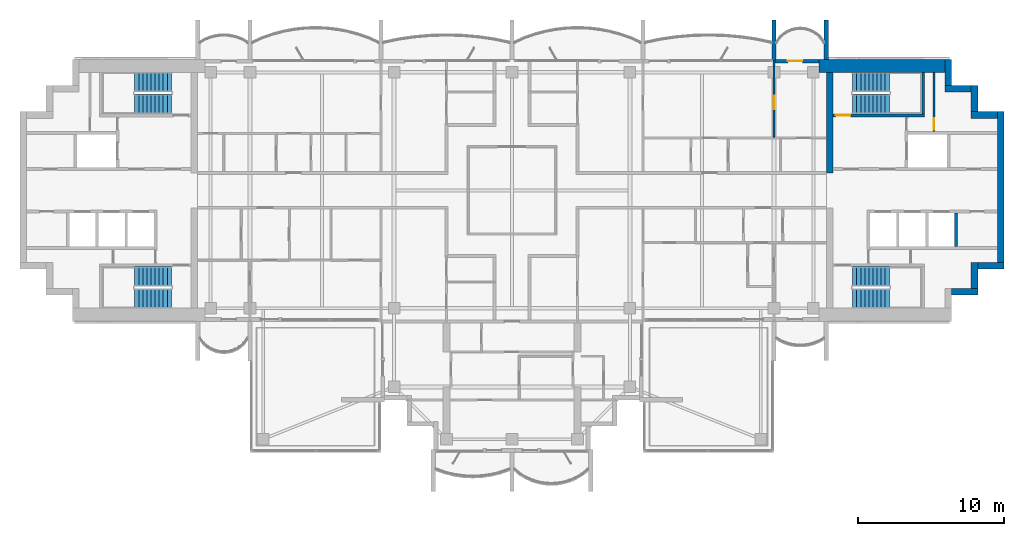
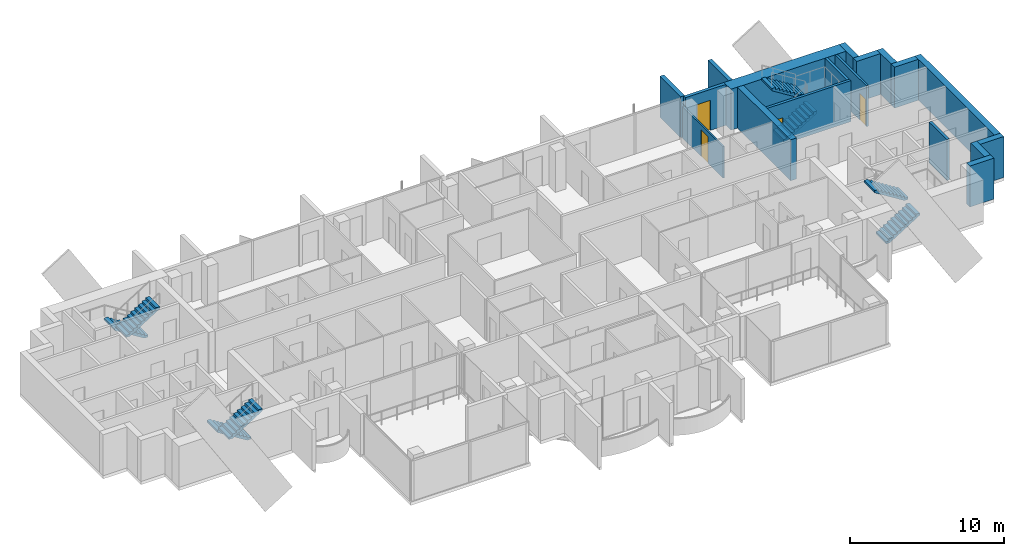
# One storey, part 12 of 16: 18 walls, 8 stair flights, 4 doors, 4 openings, 4 elements without a shape of their own.
"""IFC4 building model written with IfcOpenShell, lengths in metres."""

from ifc_helpers import new_model, si_unit, direction, frame, frame_2d, origin, place, context, subcontext, project, spatial, polyline, rectangle, outline, extrude, material, layer, layer_set, type_object, element, fill, aggregate, save


model = new_model("IFC4")

# Units and contexts
model_context = context("Model", 3, precision=1e-05, world=origin(), true_north=direction((0.0, 1.0)))
body_context = subcontext(model_context, "Body", "Model", "MODEL_VIEW")
ifc_project = project(units=[si_unit("LENGTHUNIT", "METRE"), si_unit("AREAUNIT", "SQUARE_METRE"), si_unit("VOLUMEUNIT", "CUBIC_METRE"), si_unit("PLANEANGLEUNIT", "RADIAN"), si_unit("MASSUNIT", "GRAM", prefix="KILO")], contexts=[model_context])

# Site, building, storey
site_placement = place(None, origin())
site = spatial("IfcSite", under=ifc_project, at=site_placement, CompositionType="ELEMENT")
building_placement = place(site_placement, origin())
building = spatial("IfcBuilding", under=site, at=building_placement, Name="Perihelion Cross Residences", CompositionType="ELEMENT")
storey_placement = place(building_placement, frame((0.0, 0.0, 260.5)))
storey = spatial("IfcBuildingStorey", under=building, at=storey_placement, Name="L66", CompositionType="ELEMENT", Elevation=260.5)

# Wall, opening, door
ifc_material_1 = material(Name="Concrete C30/37, bronze-clad", Category="concrete")
ifc_layer_1 = layer(ifc_material_1, 0.25)
ifc_layer_set_1 = layer_set([ifc_layer_1], Name="Bronze-clad pier wall 250")
wall_type_1 = type_object("IfcWallType", Name="Bronze-clad pier wall 250", PredefinedType="SOLIDWALL", material=ifc_layer_set_1)
wall_1_placement = place(storey_placement, frame((21.10009765625, 8.875, 0.0), z_axis=(0.0, 0.0, 1.0), x_axis=(-1.0, 0.0, 0.0)))
wall_1 = element("IfcWall", 1, at=wall_1_placement, inside=storey, type_object=wall_type_1, Name="Wall FW1 L66 east side north bay 1 pier", PredefinedType="SOLIDWALL", context=body_context, shape_type="SweptSolid", body=[
    extrude(rectangle(XDim=3.0400390625, YDim=0.25, at=frame_2d((1.52001953125, 0.0))), origin(), (0.0, 0.0, 1.0), 3.25),
])
opening_1_placement = place(wall_1_placement, frame((1.14990234375, 0.0, 0.0)))
opening_1 = element("IfcOpeningElement", 2, at=opening_1_placement, cuts=wall_1, Name="Opening L66.E01", PredefinedType="OPENING", context=body_context, shape_type="SweptSolid", body=[
    extrude(rectangle(XDim=1.0, YDim=2.39990234375, at=frame_2d((0.5, 1.199951171875))), frame((0.0, 0.135009765625, 0.0), z_axis=(0.0, -1.0, 0.0), x_axis=(1.0, 0.0, 0.0)), (0.0, 0.0, 1.0), 0.27001953125),
])
ifc_material_2 = material(Name="Bronze anodised aluminium, glazed", Category="aluminium")
door_type_1 = type_object("IfcDoorType", Name="Balcony door 1000 x 2400", OperationType="NOTDEFINED", PredefinedType="DOOR", material=ifc_material_2)
door_1_placement = place(opening_1_placement, origin())
door_1 = element("IfcDoor", 3, at=door_1_placement, inside=storey, type_object=door_type_1, Name="Door L66.E01 east side north bay 1", OperationType="SINGLE_SWING_LEFT", OverallHeight=2.39990234375, OverallWidth=1.0, PredefinedType="DOOR", context=body_context, shape_type="SweptSolid", body=[
    extrude(rectangle(XDim=1.0, YDim=2.39990234375, at=frame_2d((0.5, 1.199951171875))), frame((0.0, 0.02490234375, 0.0), z_axis=(0.0, -1.0, 0.0), x_axis=(1.0, 0.0, 0.0)), (0.0, 0.0, 1.0), 0.050048828125),
])
fill(opening_1, door_1)

# Walls
ifc_material_3 = material(Name="Concrete C60/75", Category="concrete")
ifc_layer_2 = layer(ifc_material_3, 0.449951171875)
ifc_layer_set_2 = layer_set([ifc_layer_2], Name="Core wall, inner 450")
wall_type_2 = type_object("IfcWallType", Name="Core wall, inner 450", PredefinedType="SHEAR", material=ifc_layer_set_2)
wall_2_placement = place(storey_placement, frame((21.824951171875, 1.199951171875, 0.0), z_axis=(0.0, 0.0, 1.0), x_axis=(0.0, 1.0, 0.0)))
element("IfcWall", 4, at=wall_2_placement, inside=storey, type_object=wall_type_2, Name="East core core wall, inner", PredefinedType="SHEAR", context=body_context, shape_type="SweptSolid", body=[
    extrude(rectangle(XDim=6.900146484375, YDim=0.449951171875, at=frame_2d((3.4501953125, 0.0))), origin(), (0.0, 0.0, 1.0), 3.25),
])
ifc_material_4 = material(Name="Concrete C60/75", Category="concrete")
ifc_layer_3 = layer(ifc_material_4, 0.449951171875)
ifc_layer_set_3 = layer_set([ifc_layer_3], Name="Core wall, outer 450")
wall_type_3 = type_object("IfcWallType", Name="Core wall, outer 450", PredefinedType="SHEAR", material=ifc_layer_set_3)
for number, where, z_axis, x_axis, name in (
    (5, (30.199951171875, -6.97509765625, 0.0), (0.0, 0.0, 1.0), (1.0, 0.0, 0.0), "East core core wall, outer"),
    (6, (31.77490234375, -6.75, 0.0), (0.0, 0.0, 1.0), (0.0, 1.0, 0.0), "East core core wall, outer"),
    (7, (32.0, -5.175048828125, 0.0), (0.0, 0.0, 1.0), (1.0, 0.0, 0.0), "East core core wall, outer"),
):
    element("IfcWall", number, at=place(storey_placement, frame(where, z_axis=z_axis, x_axis=x_axis)), inside=storey, type_object=wall_type_3, Name=name, PredefinedType="SHEAR", context=body_context, shape_type="SweptSolid", body=[
        extrude(rectangle(XDim=1.800048828125, YDim=0.449951171875, at=frame_2d((0.89990234375, 0.0))), origin(), (0.0, 0.0, 1.0), 3.25),
    ])
wall_3_placement = place(storey_placement, frame((33.574951171875, -4.949951171875, 0.0), z_axis=(0.0, 0.0, 1.0), x_axis=(0.0, 1.0, 0.0)))
element("IfcWall", 8, at=wall_3_placement, inside=storey, type_object=wall_type_3, Name="East core core wall, outer", PredefinedType="SHEAR", context=body_context, shape_type="SweptSolid", body=[
    extrude(rectangle(XDim=10.349853515625, YDim=0.449951171875, at=frame_2d((5.1748046875, 0.0))), origin(), (0.0, 0.0, 1.0), 3.25),
])
for number, where, z_axis, x_axis, name in (
    (9, (31.550048828125, 5.175048828125, 0.0), (0.0, 0.0, 1.0), (1.0, 0.0, 0.0), "East core core wall, outer"),
    (10, (31.77490234375, 5.39990234375, 0.0), (0.0, 0.0, 1.0), (0.0, 1.0, 0.0), "East core core wall, outer"),
    (11, (29.75, 6.97509765625, 0.0), (0.0, 0.0, 1.0), (1.0, 0.0, 0.0), "East core core wall, outer"),
    (12, (29.97509765625, 7.199951171875, 0.0), (0.0, 0.0, 1.0), (0.0, 1.0, 0.0), "East core core wall, outer"),
):
    element("IfcWall", number, at=place(storey_placement, frame(where, z_axis=z_axis, x_axis=x_axis)), inside=storey, type_object=wall_type_3, Name=name, PredefinedType="SHEAR", context=body_context, shape_type="SweptSolid", body=[
        extrude(rectangle(XDim=1.800048828125, YDim=0.449951171875, at=frame_2d((0.89990234375, 0.0))), origin(), (0.0, 0.0, 1.0), 3.25),
    ])
ifc_material_5 = material(Name="Concrete C60/75", Category="concrete")
ifc_layer_4 = layer(ifc_material_5, 0.89990234375)
ifc_layer_set_4 = layer_set([ifc_layer_4], Name="Core wall, outer 900")
wall_type_4 = type_object("IfcWallType", Name="Core wall, outer 900", PredefinedType="SHEAR", material=ifc_layer_set_4)
wall_4_placement = place(storey_placement, frame((21.10009765625, 8.550048828125, 0.0), z_axis=(0.0, 0.0, 1.0), x_axis=(1.0, 0.0, 0.0)))
element("IfcWall", 13, at=wall_4_placement, inside=storey, type_object=wall_type_4, Name="East core core wall, outer", PredefinedType="SHEAR", context=body_context, shape_type="SweptSolid", body=[
    extrude(rectangle(XDim=8.64990234375, YDim=0.89990234375, at=frame_2d((4.324951171875, 0.0))), origin(), (0.0, 0.0, 1.0), 3.25),
])

# Wall, opening, door
ifc_material_6 = material(Name="Plasterboard partition")
ifc_layer_5 = layer(ifc_material_6, 0.1201171875)
ifc_layer_set_5 = layer_set([ifc_layer_5], Name="Partition wall 120")
wall_type_5 = type_object("IfcWallType", Name="Partition wall 120", PredefinedType="PARTITIONING", material=ifc_layer_set_5)
wall_5_placement = place(storey_placement, frame((18.0, 8.919921875, 0.0), z_axis=(0.0, 0.0, 1.0), x_axis=(0.0, -1.0, 0.0)))
wall_5 = element("IfcWall", 14, at=wall_5_placement, inside=storey, type_object=wall_type_5, Name="Partition L66 W028", PredefinedType="PARTITIONING", context=body_context, shape_type="SweptSolid", body=[
    extrude(rectangle(XDim=5.260009765625, YDim=0.1201171875, at=frame_2d((2.6298828125, 0.0))), origin(), (0.0, 0.0, 1.0), 2.49609375),
])
opening_2_placement = place(wall_5_placement, frame((2.43994140625, 0.0, 0.0)))
opening_2 = element("IfcOpeningElement", 15, at=opening_2_placement, cuts=wall_5, Name="Opening L66.A08", PredefinedType="OPENING", context=body_context, shape_type="SweptSolid", body=[
    extrude(rectangle(XDim=0.89990234375, YDim=2.10009765625, at=frame_2d((0.449951171875, 1.050048828125))), frame((0.0, 0.070068359375, 0.0), z_axis=(0.0, -1.0, 0.0), x_axis=(1.0, 0.0, 0.0)), (0.0, 0.0, 1.0), 0.14013671875),
])
ifc_material_7 = material(Name="Timber door leaf", Category="wood")
door_type_2 = type_object("IfcDoorType", Name="Interior room door 900 x 2100", OperationType="SINGLE_SWING_LEFT", PredefinedType="DOOR", material=ifc_material_7)
door_2_placement = place(opening_2_placement, origin())
door_2 = element("IfcDoor", 16, at=door_2_placement, inside=storey, type_object=door_type_2, Name="Door L66.A08", OperationType="SINGLE_SWING_LEFT", OverallHeight=2.10009765625, OverallWidth=0.89990234375, PredefinedType="DOOR", context=body_context, shape_type="SweptSolid", body=[
    extrude(rectangle(XDim=0.89990234375, YDim=2.10009765625, at=frame_2d((0.449951171875, 1.050048828125))), frame((0.0, 0.02490234375, 0.0), z_axis=(0.0, -1.0, 0.0), x_axis=(1.0, 0.0, 0.0)), (0.0, 0.0, 1.0), 0.050048828125),
])
fill(opening_2, door_2)

# Walls
ifc_material_8 = material(Name="Precast concrete C50/60", Category="concrete")
ifc_layer_6 = layer(ifc_material_8, 0.300048828125)
ifc_layer_set_6 = layer_set([ifc_layer_6], Name="Precast concrete C50/60 blade wall 300")
wall_type_6 = type_object("IfcWallType", Name="Precast concrete C50/60 blade wall 300", PredefinedType="SOLIDWALL", material=ifc_layer_set_6)
for number, where, z_axis, x_axis, name in (
    (17, (18.0, 9.0, 0.0), (0.0, 0.0, 1.0), (0.0, 1.0, 0.0), "Wall BL1 L66 no. 11"),
    (18, (21.60009765625, 9.0, 0.0), (0.0, 0.0, 1.0), (0.0, 1.0, 0.0), "Wall BL1 L66 no. 13"),
):
    element("IfcWall", number, at=place(storey_placement, frame(where, z_axis=z_axis, x_axis=x_axis)), inside=storey, type_object=wall_type_6, Name=name, PredefinedType="SOLIDWALL", context=body_context, shape_type="SweptSolid", body=[
        extrude(rectangle(XDim=2.699951171875, YDim=0.300048828125, at=frame_2d((1.35009765625, 0.0))), origin(), (0.0, 0.0, 1.0), 3.25),
    ])

# Wall, opening, door
ifc_material_9 = material(Name="Fire-rated board on steel stud", Category="steel")
ifc_layer_7 = layer(ifc_material_9, 0.14990234375)
ifc_layer_set_7 = layer_set([ifc_layer_7], Name="Riser wall 150")
wall_type_7 = type_object("IfcWallType", Name="Riser wall 150", PredefinedType="PARTITIONING", material=ifc_layer_set_7)
wall_6_placement = place(storey_placement, frame((29.0, 4.050048828125, 0.0), z_axis=(0.0, 0.0, 1.0), x_axis=(0.0, 1.0, 0.0)))
wall_6 = element("IfcWall", 19, at=wall_6_placement, inside=storey, type_object=wall_type_7, Name="East core riser wall", PredefinedType="PARTITIONING", context=body_context, shape_type="SweptSolid", body=[
    extrude(rectangle(XDim=4.050048828125, YDim=0.14990234375, at=frame_2d((2.02490234375, 0.0))), origin(), (0.0, 0.0, 1.0), 3.25),
])
opening_3_placement = place(wall_6_placement, frame((0.10009765625, 0.0, 0.0)))
opening_3 = element("IfcOpeningElement", 20, at=opening_3_placement, cuts=wall_6, Name="Opening L66.C12", PredefinedType="OPENING", context=body_context, shape_type="SweptSolid", body=[
    extrude(rectangle(XDim=0.800048828125, YDim=2.10009765625, at=frame_2d((0.39990234375, 1.050048828125))), frame((0.0, 0.0849609375, 0.0), z_axis=(0.0, -1.0, 0.0), x_axis=(1.0, 0.0, 0.0)), (0.0, 0.0, 1.0), 0.169921875),
])
ifc_material_10 = material(Name="Steel, powder coated", Category="steel")
door_type_3 = type_object("IfcDoorType", Name="Riser door 800", OperationType="SINGLE_SWING_LEFT", PredefinedType="DOOR", material=ifc_material_10)
door_3_placement = place(opening_3_placement, origin())
door_3 = element("IfcDoor", 21, at=door_3_placement, inside=storey, type_object=door_type_3, Name="East core riser door", OperationType="SINGLE_SWING_LEFT", OverallHeight=2.10009765625, OverallWidth=0.800048828125, PredefinedType="DOOR", context=body_context, shape_type="SweptSolid", body=[
    extrude(rectangle(XDim=0.800048828125, YDim=2.10009765625, at=frame_2d((0.39990234375, 1.050048828125))), frame((0.0, 0.02490234375, 0.0), z_axis=(0.0, -1.0, 0.0), x_axis=(1.0, 0.0, 0.0)), (0.0, 0.0, 1.0), 0.050048828125),
])
fill(opening_3, door_3)

# Wall
ifc_material_11 = material(Name="Concrete C50/60", Category="concrete")
ifc_layer_8 = layer(ifc_material_11, 0.199951171875)
ifc_layer_set_8 = layer_set([ifc_layer_8], Name="Shaft wall 200")
wall_type_8 = type_object("IfcWallType", Name="Shaft wall 200", PredefinedType="SOLIDWALL", material=ifc_layer_set_8)
wall_7_placement = place(storey_placement, frame((30.5, -3.85009765625, 0.0), z_axis=(0.0, 0.0, 1.0), x_axis=(0.0, 1.0, 0.0)))
element("IfcWall", 22, at=wall_7_placement, inside=storey, type_object=wall_type_8, Name="East core shaft wall", PredefinedType="SOLIDWALL", context=body_context, shape_type="SweptSolid", body=[
    extrude(rectangle(XDim=2.300048828125, YDim=0.199951171875, at=frame_2d((1.14990234375, 0.0))), origin(), (0.0, 0.0, 1.0), 3.25),
])

# Wall, opening, door
ifc_material_12 = material(Name="Concrete C50/60", Category="concrete")
ifc_layer_9 = layer(ifc_material_12, 0.199951171875)
ifc_layer_set_9 = layer_set([ifc_layer_9], Name="Stair wall 200")
wall_type_9 = type_object("IfcWallType", Name="Stair wall 200", PredefinedType="SOLIDWALL", material=ifc_layer_set_9)
wall_8_placement = place(storey_placement, frame((22.050048828125, 5.14990234375, 0.0), z_axis=(0.0, 0.0, 1.0), x_axis=(1.0, 0.0, 0.0)))
wall_8 = element("IfcWall", 23, at=wall_8_placement, inside=storey, type_object=wall_type_9, Name="East core stair wall", PredefinedType="SOLIDWALL", context=body_context, shape_type="SweptSolid", body=[
    extrude(rectangle(XDim=6.300048828125, YDim=0.199951171875, at=frame_2d((3.14990234375, 0.0))), origin(), (0.0, 0.0, 1.0), 3.25),
])
opening_4_placement = place(wall_8_placement, frame((0.199951171875, 0.0, 0.0)))
opening_4 = element("IfcOpeningElement", 24, at=opening_4_placement, cuts=wall_8, Name="Opening L66.C06", PredefinedType="OPENING", context=body_context, shape_type="SweptSolid", body=[
    extrude(rectangle(XDim=1.0, YDim=2.10009765625, at=frame_2d((0.5, 1.050048828125))), frame((0.0, 0.10986328125, 0.0), z_axis=(0.0, -1.0, 0.0), x_axis=(1.0, 0.0, 0.0)), (0.0, 0.0, 1.0), 0.219970703125),
])
ifc_material_13 = material(Name="Steel, powder coated", Category="steel")
door_type_4 = type_object("IfcDoorType", Name="Stair door 1000", OperationType="SINGLE_SWING_LEFT", PredefinedType="DOOR", material=ifc_material_13)
door_4_placement = place(opening_4_placement, origin())
door_4 = element("IfcDoor", 25, at=door_4_placement, inside=storey, type_object=door_type_4, Name="East core stair door", OperationType="SINGLE_SWING_LEFT", OverallHeight=2.10009765625, OverallWidth=1.0, PredefinedType="DOOR", context=body_context, shape_type="SweptSolid", body=[
    extrude(rectangle(XDim=1.0, YDim=2.10009765625, at=frame_2d((0.5, 1.050048828125))), frame((0.0, 0.02490234375, 0.0), z_axis=(0.0, -1.0, 0.0), x_axis=(1.0, 0.0, 0.0)), (0.0, 0.0, 1.0), 0.050048828125),
])
fill(opening_4, door_4)

# Wall
wall_9_placement = place(storey_placement, frame((28.25, 5.25, 0.0), z_axis=(0.0, 0.0, 1.0), x_axis=(0.0, 1.0, 0.0)))
element("IfcWall", 26, at=wall_9_placement, inside=storey, type_object=wall_type_9, Name="East core stair wall", PredefinedType="SOLIDWALL", context=body_context, shape_type="SweptSolid", body=[
    extrude(rectangle(XDim=2.85009765625, YDim=0.199951171875, at=frame_2d((1.425048828125, 0.0))), origin(), (0.0, 0.0, 1.0), 3.25),
])

# Stair, stair flights
ifc_material_14 = material(Name="Concrete C40/50", Category="concrete")
stair_type = type_object("IfcStairType", Name="Exit stair, half-turn", PredefinedType="HALF_TURN_STAIR", material=ifc_material_14)
stair_1_placement = place(storey_placement, origin())
stair_1 = element("IfcStair", 27, at=stair_1_placement, inside=storey, type_object=stair_type, Name="L66 East core exit stair 1", PredefinedType="HALF_TURN_STAIR")
ifc_material_15 = material(Name="Concrete C40/50", Category="concrete")
stair_flight_type = type_object("IfcStairFlightType", Name="Exit stair flight", PredefinedType="STRAIGHT", material=ifc_material_15)
stair_flight_1_placement = place(storey_placement, frame((23.39990234375, 5.925048828125, 0.0), z_axis=(0.0, 0.0, 1.0), x_axis=(1.0, 0.0, 0.0)))
stair_flight_1 = element("IfcStairFlight", 28, at=stair_flight_1_placement, type_object=stair_flight_type, Name="ST-E1 flight 1", NumberOfRisers=10, NumberOfTreads=9, PredefinedType="STRAIGHT", RiserHeight=0.175, TreadLength=0.28, context=body_context, shape_type="SweptSolid", body=[
    extrude(outline(polyline([(0.0, 0.0), (0.0, 0.175048828125), (0.280029296875, 0.175048828125), (0.280029296875, 0.35009765625), (0.56005859375, 0.35009765625), (0.56005859375, 0.52490234375), (0.840087890625, 0.52490234375), (0.840087890625, 0.699951171875), (1.1201171875, 0.699951171875), (1.1201171875, 0.875), (1.39990234375, 0.875), (1.39990234375, 1.050048828125), (1.679931640625, 1.050048828125), (1.679931640625, 1.22509765625), (1.9599609375, 1.22509765625), (1.9599609375, 1.39990234375), (2.239990234375, 1.39990234375), (2.239990234375, 1.574951171875), (2.52001953125, 1.574951171875), (2.52001953125, 1.75), (2.52001953125, 1.398193359375), (0.28271484375, 0.0), (0.0, 0.0)])), frame((0.0, 0.675048828125, 0.0), z_axis=(0.0, -1.0, 0.0), x_axis=(1.0, 0.0, 0.0)), (0.0, 0.0, 1.0), 1.35009765625),
])
stair_flight_2_placement = place(storey_placement, frame((25.919921875, 7.425048828125, 1.75), z_axis=(0.0, 0.0, 1.0), x_axis=(-1.0, 0.0, 0.0)))
stair_flight_2 = element("IfcStairFlight", 29, at=stair_flight_2_placement, type_object=stair_flight_type, Name="ST-E1 flight 2", NumberOfRisers=10, NumberOfTreads=9, PredefinedType="STRAIGHT", RiserHeight=0.175, TreadLength=0.28, context=body_context, shape_type="SweptSolid", body=[
    extrude(outline(polyline([(0.0, 0.0), (0.0, 0.175048828125), (0.280029296875, 0.175048828125), (0.280029296875, 0.35009765625), (0.56005859375, 0.35009765625), (0.56005859375, 0.52490234375), (0.840087890625, 0.52490234375), (0.840087890625, 0.699951171875), (1.1201171875, 0.699951171875), (1.1201171875, 0.875), (1.39990234375, 0.875), (1.39990234375, 1.050048828125), (1.679931640625, 1.050048828125), (1.679931640625, 1.22509765625), (1.9599609375, 1.22509765625), (1.9599609375, 1.39990234375), (2.239990234375, 1.39990234375), (2.239990234375, 1.574951171875), (2.52001953125, 1.574951171875), (2.52001953125, 1.75), (2.52001953125, 1.398193359375), (0.28271484375, 0.0), (0.0, 0.0)])), frame((0.0, 0.675048828125, 0.0), z_axis=(0.0, -1.0, 0.0), x_axis=(1.0, 0.0, 0.0)), (0.0, 0.0, 1.0), 1.35009765625),
])
aggregate(stair_1, [stair_flight_1, stair_flight_2])

stair_2_placement = place(storey_placement, origin())
stair_2 = element("IfcStair", 30, at=stair_2_placement, inside=storey, type_object=stair_type, Name="L66 East core exit stair 2", PredefinedType="HALF_TURN_STAIR")
stair_flight_3_placement = place(storey_placement, frame((23.39990234375, -7.425048828125, 0.0), z_axis=(0.0, 0.0, 1.0), x_axis=(1.0, 0.0, 0.0)))
stair_flight_3 = element("IfcStairFlight", 31, at=stair_flight_3_placement, type_object=stair_flight_type, Name="ST-E2 flight 1", NumberOfRisers=10, NumberOfTreads=9, PredefinedType="STRAIGHT", RiserHeight=0.175, TreadLength=0.28, context=body_context, shape_type="SweptSolid", body=[
    extrude(outline(polyline([(0.0, 0.0), (0.0, 0.175048828125), (0.280029296875, 0.175048828125), (0.280029296875, 0.35009765625), (0.56005859375, 0.35009765625), (0.56005859375, 0.52490234375), (0.840087890625, 0.52490234375), (0.840087890625, 0.699951171875), (1.1201171875, 0.699951171875), (1.1201171875, 0.875), (1.39990234375, 0.875), (1.39990234375, 1.050048828125), (1.679931640625, 1.050048828125), (1.679931640625, 1.22509765625), (1.9599609375, 1.22509765625), (1.9599609375, 1.39990234375), (2.239990234375, 1.39990234375), (2.239990234375, 1.574951171875), (2.52001953125, 1.574951171875), (2.52001953125, 1.75), (2.52001953125, 1.398193359375), (0.28271484375, 0.0), (0.0, 0.0)])), frame((0.0, 0.675048828125, 0.0), z_axis=(0.0, -1.0, 0.0), x_axis=(1.0, 0.0, 0.0)), (0.0, 0.0, 1.0), 1.35009765625),
])
stair_flight_4_placement = place(storey_placement, frame((25.919921875, -5.925048828125, 1.75), z_axis=(0.0, 0.0, 1.0), x_axis=(-1.0, 0.0, 0.0)))
stair_flight_4 = element("IfcStairFlight", 32, at=stair_flight_4_placement, type_object=stair_flight_type, Name="ST-E2 flight 2", NumberOfRisers=10, NumberOfTreads=9, PredefinedType="STRAIGHT", RiserHeight=0.175, TreadLength=0.28, context=body_context, shape_type="SweptSolid", body=[
    extrude(outline(polyline([(0.0, 0.0), (0.0, 0.175048828125), (0.280029296875, 0.175048828125), (0.280029296875, 0.35009765625), (0.56005859375, 0.35009765625), (0.56005859375, 0.52490234375), (0.840087890625, 0.52490234375), (0.840087890625, 0.699951171875), (1.1201171875, 0.699951171875), (1.1201171875, 0.875), (1.39990234375, 0.875), (1.39990234375, 1.050048828125), (1.679931640625, 1.050048828125), (1.679931640625, 1.22509765625), (1.9599609375, 1.22509765625), (1.9599609375, 1.39990234375), (2.239990234375, 1.39990234375), (2.239990234375, 1.574951171875), (2.52001953125, 1.574951171875), (2.52001953125, 1.75), (2.52001953125, 1.398193359375), (0.28271484375, 0.0), (0.0, 0.0)])), frame((0.0, 0.675048828125, 0.0), z_axis=(0.0, -1.0, 0.0), x_axis=(1.0, 0.0, 0.0)), (0.0, 0.0, 1.0), 1.35009765625),
])
aggregate(stair_2, [stair_flight_3, stair_flight_4])

stair_3_placement = place(storey_placement, origin())
stair_3 = element("IfcStair", 33, at=stair_3_placement, inside=storey, type_object=stair_type, Name="L66 West core exit stair 1", PredefinedType="HALF_TURN_STAIR")
stair_flight_5_placement = place(storey_placement, frame((-23.39990234375, 7.425048828125, 0.0), z_axis=(0.0, 0.0, 1.0), x_axis=(-1.0, 0.0, 0.0)))
stair_flight_5 = element("IfcStairFlight", 34, at=stair_flight_5_placement, type_object=stair_flight_type, Name="ST-W1 flight 1", NumberOfRisers=10, NumberOfTreads=9, PredefinedType="STRAIGHT", RiserHeight=0.175, TreadLength=0.28, context=body_context, shape_type="SweptSolid", body=[
    extrude(outline(polyline([(0.0, 0.0), (0.0, 0.175048828125), (0.280029296875, 0.175048828125), (0.280029296875, 0.35009765625), (0.56005859375, 0.35009765625), (0.56005859375, 0.52490234375), (0.840087890625, 0.52490234375), (0.840087890625, 0.699951171875), (1.1201171875, 0.699951171875), (1.1201171875, 0.875), (1.39990234375, 0.875), (1.39990234375, 1.050048828125), (1.679931640625, 1.050048828125), (1.679931640625, 1.22509765625), (1.9599609375, 1.22509765625), (1.9599609375, 1.39990234375), (2.239990234375, 1.39990234375), (2.239990234375, 1.574951171875), (2.52001953125, 1.574951171875), (2.52001953125, 1.75), (2.52001953125, 1.398193359375), (0.28271484375, 0.0), (0.0, 0.0)])), frame((0.0, 0.675048828125, 0.0), z_axis=(0.0, -1.0, 0.0), x_axis=(1.0, 0.0, 0.0)), (0.0, 0.0, 1.0), 1.35009765625),
])
stair_flight_6_placement = place(storey_placement, frame((-25.919921875, 5.925048828125, 1.75), z_axis=(0.0, 0.0, 1.0), x_axis=(1.0, 0.0, 0.0)))
stair_flight_6 = element("IfcStairFlight", 35, at=stair_flight_6_placement, type_object=stair_flight_type, Name="ST-W1 flight 2", NumberOfRisers=10, NumberOfTreads=9, PredefinedType="STRAIGHT", RiserHeight=0.175, TreadLength=0.28, context=body_context, shape_type="SweptSolid", body=[
    extrude(outline(polyline([(0.0, 0.0), (0.0, 0.175048828125), (0.280029296875, 0.175048828125), (0.280029296875, 0.35009765625), (0.56005859375, 0.35009765625), (0.56005859375, 0.52490234375), (0.840087890625, 0.52490234375), (0.840087890625, 0.699951171875), (1.1201171875, 0.699951171875), (1.1201171875, 0.875), (1.39990234375, 0.875), (1.39990234375, 1.050048828125), (1.679931640625, 1.050048828125), (1.679931640625, 1.22509765625), (1.9599609375, 1.22509765625), (1.9599609375, 1.39990234375), (2.239990234375, 1.39990234375), (2.239990234375, 1.574951171875), (2.52001953125, 1.574951171875), (2.52001953125, 1.75), (2.52001953125, 1.398193359375), (0.28271484375, 0.0), (0.0, 0.0)])), frame((0.0, 0.675048828125, 0.0), z_axis=(0.0, -1.0, 0.0), x_axis=(1.0, 0.0, 0.0)), (0.0, 0.0, 1.0), 1.35009765625),
])
aggregate(stair_3, [stair_flight_5, stair_flight_6])

stair_4_placement = place(storey_placement, origin())
stair_4 = element("IfcStair", 36, at=stair_4_placement, inside=storey, type_object=stair_type, Name="L66 West core exit stair 2", PredefinedType="HALF_TURN_STAIR")
stair_flight_7_placement = place(storey_placement, frame((-23.39990234375, -5.925048828125, 0.0), z_axis=(0.0, 0.0, 1.0), x_axis=(-1.0, 0.0, 0.0)))
stair_flight_7 = element("IfcStairFlight", 37, at=stair_flight_7_placement, type_object=stair_flight_type, Name="ST-W2 flight 1", NumberOfRisers=10, NumberOfTreads=9, PredefinedType="STRAIGHT", RiserHeight=0.175, TreadLength=0.28, context=body_context, shape_type="SweptSolid", body=[
    extrude(outline(polyline([(0.0, 0.0), (0.0, 0.175048828125), (0.280029296875, 0.175048828125), (0.280029296875, 0.35009765625), (0.56005859375, 0.35009765625), (0.56005859375, 0.52490234375), (0.840087890625, 0.52490234375), (0.840087890625, 0.699951171875), (1.1201171875, 0.699951171875), (1.1201171875, 0.875), (1.39990234375, 0.875), (1.39990234375, 1.050048828125), (1.679931640625, 1.050048828125), (1.679931640625, 1.22509765625), (1.9599609375, 1.22509765625), (1.9599609375, 1.39990234375), (2.239990234375, 1.39990234375), (2.239990234375, 1.574951171875), (2.52001953125, 1.574951171875), (2.52001953125, 1.75), (2.52001953125, 1.398193359375), (0.28271484375, 0.0), (0.0, 0.0)])), frame((0.0, 0.675048828125, 0.0), z_axis=(0.0, -1.0, 0.0), x_axis=(1.0, 0.0, 0.0)), (0.0, 0.0, 1.0), 1.35009765625),
])
stair_flight_8_placement = place(storey_placement, frame((-25.919921875, -7.425048828125, 1.75), z_axis=(0.0, 0.0, 1.0), x_axis=(1.0, 0.0, 0.0)))
stair_flight_8 = element("IfcStairFlight", 38, at=stair_flight_8_placement, type_object=stair_flight_type, Name="ST-W2 flight 2", NumberOfRisers=10, NumberOfTreads=9, PredefinedType="STRAIGHT", RiserHeight=0.175, TreadLength=0.28, context=body_context, shape_type="SweptSolid", body=[
    extrude(outline(polyline([(0.0, 0.0), (0.0, 0.175048828125), (0.280029296875, 0.175048828125), (0.280029296875, 0.35009765625), (0.56005859375, 0.35009765625), (0.56005859375, 0.52490234375), (0.840087890625, 0.52490234375), (0.840087890625, 0.699951171875), (1.1201171875, 0.699951171875), (1.1201171875, 0.875), (1.39990234375, 0.875), (1.39990234375, 1.050048828125), (1.679931640625, 1.050048828125), (1.679931640625, 1.22509765625), (1.9599609375, 1.22509765625), (1.9599609375, 1.39990234375), (2.239990234375, 1.39990234375), (2.239990234375, 1.574951171875), (2.52001953125, 1.574951171875), (2.52001953125, 1.75), (2.52001953125, 1.398193359375), (0.28271484375, 0.0), (0.0, 0.0)])), frame((0.0, 0.675048828125, 0.0), z_axis=(0.0, -1.0, 0.0), x_axis=(1.0, 0.0, 0.0)), (0.0, 0.0, 1.0), 1.35009765625),
])
aggregate(stair_4, [stair_flight_7, stair_flight_8])

save(model, "model.ifc")
